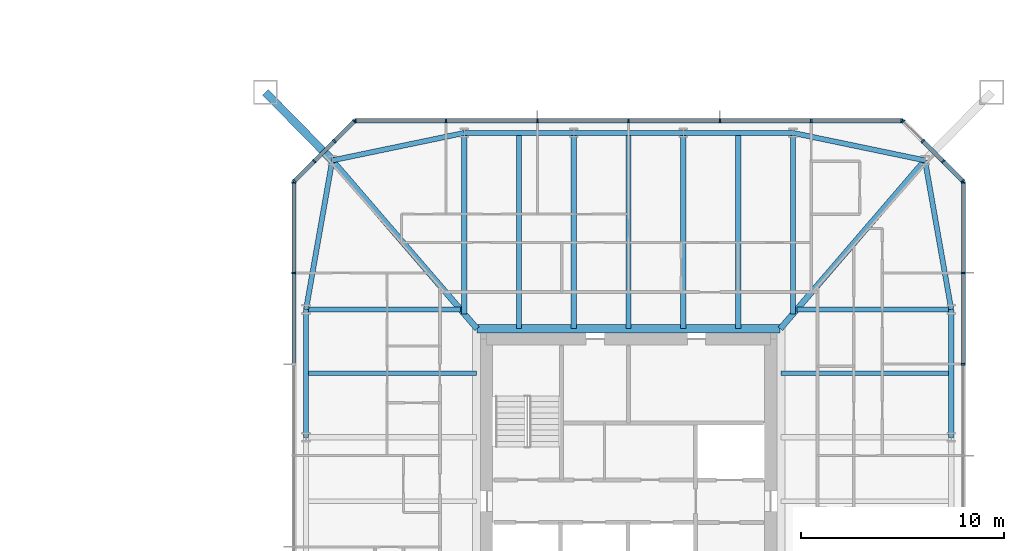
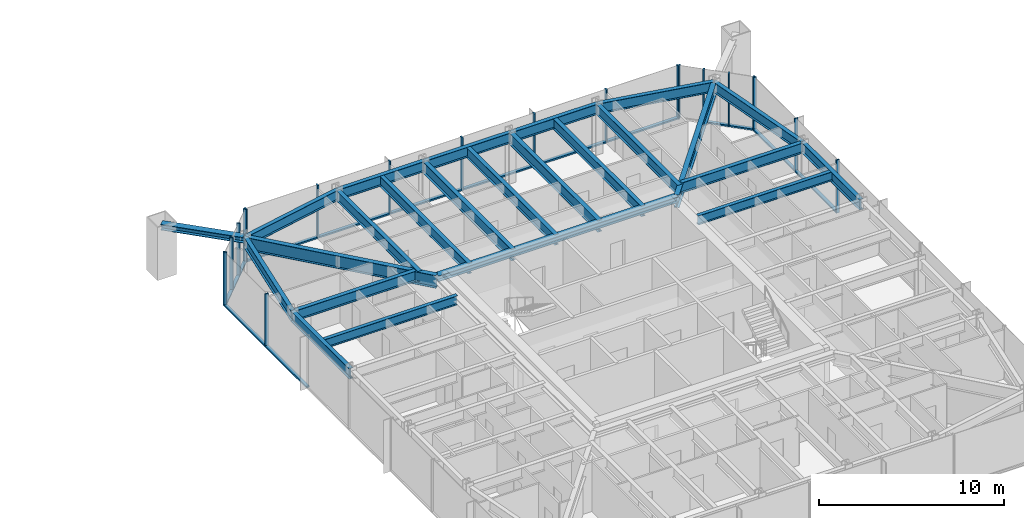
# One storey, part 10 of 26: 36 members, 23 beams, 5 elements without a shape of their own.
"""IFC4 building model written with IfcOpenShell, lengths in metres."""

from ifc_helpers import new_model, si_unit, direction, frame, origin, origin_2d, place, context, subcontext, project, spatial, rectangle, i_section, extrude, material, material_profile, profile_set, type_object, element, aggregate, save


model = new_model("IFC4")

# Units and contexts
model_context = context("Model", 3, precision=1e-05, world=origin(), true_north=direction((0.0, 1.0)))
body_context = subcontext(model_context, "Body", "Model", "MODEL_VIEW")
ifc_project = project(units=[si_unit("LENGTHUNIT", "METRE"), si_unit("AREAUNIT", "SQUARE_METRE"), si_unit("VOLUMEUNIT", "CUBIC_METRE"), si_unit("PLANEANGLEUNIT", "RADIAN"), si_unit("MASSUNIT", "GRAM", prefix="KILO")], contexts=[model_context])

# Site, building, storey
site_placement = place(None, origin())
site = spatial("IfcSite", under=ifc_project, at=site_placement, CompositionType="ELEMENT")
building_placement = place(site_placement, origin())
building = spatial("IfcBuilding", under=site, at=building_placement, Name="Iwan Alto Co-Living Towers", CompositionType="ELEMENT")
storey_placement = place(building_placement, frame((0.0, 0.0, 57.0)))
storey = spatial("IfcBuildingStorey", under=building, at=storey_placement, Name="L15", CompositionType="ELEMENT", Elevation=57.0)

# Curtain wall, members
ifc_material_1 = material(Name="Bronze aluminium unitised frame", Category="aluminium")
curtain_wall_type_1 = type_object("IfcCurtainWallType", Name="CURTAIN WALL CW-C", PredefinedType="NOTDEFINED", material=ifc_material_1)
curtain_wall_1_placement = place(storey_placement, origin())
curtain_wall_1 = element("IfcCurtainWall", 1, at=curtain_wall_1_placement, inside=storey, type_object=curtain_wall_type_1, Name="T2 curtain wall E L15", PredefinedType="NOTDEFINED")
ifc_material_2 = material(Name="Aluminium 6063-T6 bronze anodised", Category="aluminium")
ifc_material_profile_1 = material_profile(ifc_material_2, rectangle(XDim=0.199951171875, YDim=0.080078125, at=origin_2d()), Name="AL 80X200")
ifc_profile_set_1 = profile_set([ifc_material_profile_1], Name="Aluminium 6063-T6 bronze anodised")
member_type_1 = type_object("IfcMemberType", Name="CW-C MULLION 80X200", PredefinedType="MULLION", material=ifc_profile_set_1)
member_1_placement = place(storey_placement, frame((79.5, 6.75, 0.0), z_axis=(0.0, 0.0, 1.0), x_axis=(-1.0, 0.0, 0.0)))
member_1 = element("IfcMember", 2, at=member_1_placement, type_object=member_type_1, Name="CW-C mullion 6", PredefinedType="MULLION", context=body_context, shape_type="SweptSolid", body=[
    extrude(rectangle(XDim=0.199951171875, YDim=0.080078125, at=origin_2d()), origin(), (0.0, 0.0, 1.0), 3.5),
])
member_2_placement = place(storey_placement, frame((79.5, 11.25, 0.0), z_axis=(0.0, 0.0, 1.0), x_axis=(-1.0, 0.0, 0.0)))
member_2 = element("IfcMember", 3, at=member_2_placement, type_object=member_type_1, Name="CW-C mullion 7", PredefinedType="MULLION", context=body_context, shape_type="SweptSolid", body=[
    extrude(rectangle(XDim=0.199951171875, YDim=0.080078125, at=origin_2d()), origin(), (0.0, 0.0, 1.0), 3.5),
])
member_3_placement = place(storey_placement, frame((79.5, 15.7099609375, 0.0), z_axis=(0.0, 0.0, 1.0), x_axis=(-1.0, 0.0, 0.0)))
member_3 = element("IfcMember", 4, at=member_3_placement, type_object=member_type_1, Name="CW-C mullion 8", PredefinedType="MULLION", context=body_context, shape_type="SweptSolid", body=[
    extrude(rectangle(XDim=0.199951171875, YDim=0.080078125, at=origin_2d()), origin(), (0.0, 0.0, 1.0), 3.5),
])

curtain_wall_2_placement = place(storey_placement, origin())
curtain_wall_2 = element("IfcCurtainWall", 5, at=curtain_wall_2_placement, inside=storey, type_object=curtain_wall_type_1, Name="T2 curtain wall N L15", PredefinedType="NOTDEFINED")
member_4_placement = place(storey_placement, frame((76.4599609375, 18.75, 0.0), z_axis=(0.0, 0.0, 1.0), x_axis=(0.0, -1.0, 0.0)))
member_4 = element("IfcMember", 6, at=member_4_placement, type_object=member_type_1, Name="CW-C mullion 1", PredefinedType="MULLION", context=body_context, shape_type="SweptSolid", body=[
    extrude(rectangle(XDim=0.199951171875, YDim=0.080078125, at=origin_2d()), origin(), (0.0, 0.0, 1.0), 3.5),
])
member_5_placement = place(storey_placement, frame((72.0, 18.75, 0.0), z_axis=(0.0, 0.0, 1.0), x_axis=(0.0, -1.0, 0.0)))
member_5 = element("IfcMember", 7, at=member_5_placement, type_object=member_type_1, Name="CW-C mullion 2", PredefinedType="MULLION", context=body_context, shape_type="SweptSolid", body=[
    extrude(rectangle(XDim=0.199951171875, YDim=0.080078125, at=origin_2d()), origin(), (0.0, 0.0, 1.0), 3.5),
])
member_6_placement = place(storey_placement, frame((67.5, 18.75, 0.0), z_axis=(0.0, 0.0, 1.0), x_axis=(0.0, -1.0, 0.0)))
member_6 = element("IfcMember", 8, at=member_6_placement, type_object=member_type_1, Name="CW-C mullion 3", PredefinedType="MULLION", context=body_context, shape_type="SweptSolid", body=[
    extrude(rectangle(XDim=0.199951171875, YDim=0.080078125, at=origin_2d()), origin(), (0.0, 0.0, 1.0), 3.5),
])
member_7_placement = place(storey_placement, frame((63.0, 18.75, 0.0), z_axis=(0.0, 0.0, 1.0), x_axis=(0.0, -1.0, 0.0)))
member_7 = element("IfcMember", 9, at=member_7_placement, type_object=member_type_1, Name="CW-C mullion 4", PredefinedType="MULLION", context=body_context, shape_type="SweptSolid", body=[
    extrude(rectangle(XDim=0.199951171875, YDim=0.080078125, at=origin_2d()), origin(), (0.0, 0.0, 1.0), 3.5),
])
member_8_placement = place(storey_placement, frame((58.5, 18.75, 0.0), z_axis=(0.0, 0.0, 1.0), x_axis=(0.0, -1.0, 0.0)))
member_8 = element("IfcMember", 10, at=member_8_placement, type_object=member_type_1, Name="CW-C mullion 5", PredefinedType="MULLION", context=body_context, shape_type="SweptSolid", body=[
    extrude(rectangle(XDim=0.199951171875, YDim=0.080078125, at=origin_2d()), origin(), (0.0, 0.0, 1.0), 3.5),
])
member_9_placement = place(storey_placement, frame((54.0, 18.75, 0.0), z_axis=(0.0, 0.0, 1.0), x_axis=(0.0, -1.0, 0.0)))
member_9 = element("IfcMember", 11, at=member_9_placement, type_object=member_type_1, Name="CW-C mullion 6", PredefinedType="MULLION", context=body_context, shape_type="SweptSolid", body=[
    extrude(rectangle(XDim=0.199951171875, YDim=0.080078125, at=origin_2d()), origin(), (0.0, 0.0, 1.0), 3.5),
])
member_10_placement = place(storey_placement, frame((49.5400390625, 18.75, 0.0), z_axis=(0.0, 0.0, 1.0), x_axis=(0.0, -1.0, 0.0)))
member_10 = element("IfcMember", 12, at=member_10_placement, type_object=member_type_1, Name="CW-C mullion 7", PredefinedType="MULLION", context=body_context, shape_type="SweptSolid", body=[
    extrude(rectangle(XDim=0.199951171875, YDim=0.080078125, at=origin_2d()), origin(), (0.0, 0.0, 1.0), 3.5),
])

curtain_wall_3_placement = place(storey_placement, origin())
curtain_wall_3 = element("IfcCurtainWall", 13, at=curtain_wall_3_placement, inside=storey, type_object=curtain_wall_type_1, Name="T2 curtain wall W L15", PredefinedType="NOTDEFINED")
member_11_placement = place(storey_placement, frame((46.5, 15.7099609375, 0.0), z_axis=(0.0, 0.0, 1.0), x_axis=(1.0, 0.0, 0.0)))
member_11 = element("IfcMember", 14, at=member_11_placement, type_object=member_type_1, Name="CW-C mullion 1", PredefinedType="MULLION", context=body_context, shape_type="SweptSolid", body=[
    extrude(rectangle(XDim=0.199951171875, YDim=0.080078125, at=origin_2d()), origin(), (0.0, 0.0, 1.0), 3.5),
])
member_12_placement = place(storey_placement, frame((46.5, 11.25, 0.0), z_axis=(0.0, 0.0, 1.0), x_axis=(1.0, 0.0, 0.0)))
member_12 = element("IfcMember", 15, at=member_12_placement, type_object=member_type_1, Name="CW-C mullion 2", PredefinedType="MULLION", context=body_context, shape_type="SweptSolid", body=[
    extrude(rectangle(XDim=0.199951171875, YDim=0.080078125, at=origin_2d()), origin(), (0.0, 0.0, 1.0), 3.5),
])

# Member
ifc_material_3 = material(Name="Aluminium 6063-T6 bronze anodised", Category="aluminium")
ifc_material_profile_2 = material_profile(ifc_material_3, rectangle(XDim=0.199951171875, YDim=0.10009765625, at=origin_2d()), Name="AL 200X100")
ifc_profile_set_2 = profile_set([ifc_material_profile_2], Name="Aluminium 6063-T6 bronze anodised")
member_type_2 = type_object("IfcMemberType", Name="CW-C TRANSOM 200X100", PredefinedType="USERDEFINED", material=ifc_profile_set_2)
member_13_placement = place(storey_placement, frame((79.5, 6.7900390625, 0.050048828125), z_axis=(0.0, 1.0, 0.0), x_axis=(-1.0, 0.0, 0.0)))
member_13 = element("IfcMember", 16, at=member_13_placement, type_object=member_type_2, Name="CW-C transom 6.1", ObjectType="TRANSOM", PredefinedType="USERDEFINED", context=body_context, shape_type="SweptSolid", body=[
    extrude(rectangle(XDim=0.199951171875, YDim=0.10009765625, at=origin_2d()), origin(), (0.0, 0.0, 1.0), 4.419921875),
])

member_14_placement = place(storey_placement, frame((79.5, 11.2900390625, 0.050048828125), z_axis=(0.0, 1.0, 0.0), x_axis=(-1.0, 0.0, 0.0)))
member_14 = element("IfcMember", 17, at=member_14_placement, type_object=member_type_2, Name="CW-C transom 7.1", ObjectType="TRANSOM", PredefinedType="USERDEFINED", context=body_context, shape_type="SweptSolid", body=[
    extrude(rectangle(XDim=0.199951171875, YDim=0.10009765625, at=origin_2d()), origin(), (0.0, 0.0, 1.0), 4.3798828125),
])

aggregate(curtain_wall_1, [member_1, member_2, member_3, member_13, member_14])

member_15_placement = place(storey_placement, frame((76.419921875, 18.75, 0.050048828125), z_axis=(-1.0, 0.0, 0.0), x_axis=(0.0, -1.0, 0.0)))
member_15 = element("IfcMember", 18, at=member_15_placement, type_object=member_type_2, Name="CW-C transom 1.1", ObjectType="TRANSOM", PredefinedType="USERDEFINED", context=body_context, shape_type="SweptSolid", body=[
    extrude(rectangle(XDim=0.199951171875, YDim=0.10009765625, at=origin_2d()), origin(), (0.0, 0.0, 1.0), 4.3798828125),
])

member_16_placement = place(storey_placement, frame((71.9599609375, 18.75, 0.050048828125), z_axis=(-1.0, 0.0, 0.0), x_axis=(0.0, -1.0, 0.0)))
member_16 = element("IfcMember", 19, at=member_16_placement, type_object=member_type_2, Name="CW-C transom 2.1", ObjectType="TRANSOM", PredefinedType="USERDEFINED", context=body_context, shape_type="SweptSolid", body=[
    extrude(rectangle(XDim=0.199951171875, YDim=0.10009765625, at=origin_2d()), origin(), (0.0, 0.0, 1.0), 4.419921875),
])

member_17_placement = place(storey_placement, frame((67.4599609375, 18.75, 0.050048828125), z_axis=(-1.0, 0.0, 0.0), x_axis=(0.0, -1.0, 0.0)))
member_17 = element("IfcMember", 20, at=member_17_placement, type_object=member_type_2, Name="CW-C transom 3.1", ObjectType="TRANSOM", PredefinedType="USERDEFINED", context=body_context, shape_type="SweptSolid", body=[
    extrude(rectangle(XDim=0.199951171875, YDim=0.10009765625, at=origin_2d()), origin(), (0.0, 0.0, 1.0), 4.419921875),
])

member_18_placement = place(storey_placement, frame((62.9599609375, 18.75, 0.050048828125), z_axis=(-1.0, 0.0, 0.0), x_axis=(0.0, -1.0, 0.0)))
member_18 = element("IfcMember", 21, at=member_18_placement, type_object=member_type_2, Name="CW-C transom 4.1", ObjectType="TRANSOM", PredefinedType="USERDEFINED", context=body_context, shape_type="SweptSolid", body=[
    extrude(rectangle(XDim=0.199951171875, YDim=0.10009765625, at=origin_2d()), origin(), (0.0, 0.0, 1.0), 4.419921875),
])

member_19_placement = place(storey_placement, frame((58.4599609375, 18.75, 0.050048828125), z_axis=(-1.0, 0.0, 0.0), x_axis=(0.0, -1.0, 0.0)))
member_19 = element("IfcMember", 22, at=member_19_placement, type_object=member_type_2, Name="CW-C transom 5.1", ObjectType="TRANSOM", PredefinedType="USERDEFINED", context=body_context, shape_type="SweptSolid", body=[
    extrude(rectangle(XDim=0.199951171875, YDim=0.10009765625, at=origin_2d()), origin(), (0.0, 0.0, 1.0), 4.419921875),
])

member_20_placement = place(storey_placement, frame((53.9599609375, 18.75, 0.050048828125), z_axis=(-1.0, 0.0, 0.0), x_axis=(0.0, -1.0, 0.0)))
member_20 = element("IfcMember", 23, at=member_20_placement, type_object=member_type_2, Name="CW-C transom 6.1", ObjectType="TRANSOM", PredefinedType="USERDEFINED", context=body_context, shape_type="SweptSolid", body=[
    extrude(rectangle(XDim=0.199951171875, YDim=0.10009765625, at=origin_2d()), origin(), (0.0, 0.0, 1.0), 4.3798828125),
])

aggregate(curtain_wall_2, [member_4, member_5, member_6, member_7, member_8, member_9, member_10, member_15, member_16, member_17, member_18, member_19, member_20])

member_21_placement = place(storey_placement, frame((46.5, 15.669921875, 0.050048828125), z_axis=(0.0, -1.0, 0.0), x_axis=(1.0, 0.0, 0.0)))
member_21 = element("IfcMember", 24, at=member_21_placement, type_object=member_type_2, Name="CW-C transom 1.1", ObjectType="TRANSOM", PredefinedType="USERDEFINED", context=body_context, shape_type="SweptSolid", body=[
    extrude(rectangle(XDim=0.199951171875, YDim=0.10009765625, at=origin_2d()), origin(), (0.0, 0.0, 1.0), 4.3798828125),
])

member_22_placement = place(storey_placement, frame((46.5, 11.2099609375, 0.050048828125), z_axis=(0.0, -1.0, 0.0), x_axis=(1.0, 0.0, 0.0)))
member_22 = element("IfcMember", 25, at=member_22_placement, type_object=member_type_2, Name="CW-C transom 2.1", ObjectType="TRANSOM", PredefinedType="USERDEFINED", context=body_context, shape_type="SweptSolid", body=[
    extrude(rectangle(XDim=0.199951171875, YDim=0.10009765625, at=origin_2d()), origin(), (0.0, 0.0, 1.0), 4.419921875),
])

aggregate(curtain_wall_3, [member_11, member_12, member_21, member_22])

# Curtain wall, members
ifc_material_4 = material(Name="Bronze aluminium unitised frame", Category="aluminium")
curtain_wall_type_2 = type_object("IfcCurtainWallType", Name="CURTAIN WALL CW-D", PredefinedType="NOTDEFINED", material=ifc_material_4)
curtain_wall_4_placement = place(storey_placement, origin())
curtain_wall_4 = element("IfcCurtainWall", 26, at=curtain_wall_4_placement, inside=storey, type_object=curtain_wall_type_2, Name="T2 chamfer curtain wall NE L15", PredefinedType="NOTDEFINED")
ifc_material_5 = material(Name="Aluminium 6063-T6 bronze anodised", Category="aluminium")
ifc_material_profile_3 = material_profile(ifc_material_5, rectangle(XDim=0.199951171875, YDim=0.080078125, at=origin_2d()), Name="AL 80X200")
ifc_profile_set_3 = profile_set([ifc_material_profile_3], Name="Aluminium 6063-T6 bronze anodised")
member_type_3 = type_object("IfcMemberType", Name="CW-D MULLION 80X200", PredefinedType="MULLION", material=ifc_profile_set_3)
member_23_placement = place(storey_placement, frame((79.4716796875, 15.7783203125, 0.0), z_axis=(0.0, 0.0, 1.0), x_axis=(-0.707106781187, -0.707106781187, 0.0)))
member_23 = element("IfcMember", 27, at=member_23_placement, type_object=member_type_3, Name="CW-D mullion 1", PredefinedType="MULLION", context=body_context, shape_type="SweptSolid", body=[
    extrude(rectangle(XDim=0.199951171875, YDim=0.080078125, at=origin_2d()), origin(), (0.0, 0.0, 1.0), 3.5),
])
member_24_placement = place(storey_placement, frame((78.5, 16.75, 0.0), z_axis=(0.0, 0.0, 1.0), x_axis=(-0.707106781187, -0.707106781187, 0.0)))
member_24 = element("IfcMember", 28, at=member_24_placement, type_object=member_type_3, Name="CW-D mullion 2", PredefinedType="MULLION", context=body_context, shape_type="SweptSolid", body=[
    extrude(rectangle(XDim=0.199951171875, YDim=0.080078125, at=origin_2d()), origin(), (0.0, 0.0, 1.0), 3.5),
])
member_25_placement = place(storey_placement, frame((77.5, 17.75, 0.0), z_axis=(0.0, 0.0, 1.0), x_axis=(-0.707106781187, -0.707106781187, 0.0)))
member_25 = element("IfcMember", 29, at=member_25_placement, type_object=member_type_3, Name="CW-D mullion 3", PredefinedType="MULLION", context=body_context, shape_type="SweptSolid", body=[
    extrude(rectangle(XDim=0.199951171875, YDim=0.080078125, at=origin_2d()), origin(), (0.0, 0.0, 1.0), 3.5),
])
member_26_placement = place(storey_placement, frame((76.5283203125, 18.7216796875, 0.0), z_axis=(0.0, 0.0, 1.0), x_axis=(-0.707106781187, -0.707106781187, 0.0)))
member_26 = element("IfcMember", 30, at=member_26_placement, type_object=member_type_3, Name="CW-D mullion 4", PredefinedType="MULLION", context=body_context, shape_type="SweptSolid", body=[
    extrude(rectangle(XDim=0.199951171875, YDim=0.080078125, at=origin_2d()), origin(), (0.0, 0.0, 1.0), 3.5),
])

curtain_wall_5_placement = place(storey_placement, origin())
curtain_wall_5 = element("IfcCurtainWall", 31, at=curtain_wall_5_placement, inside=storey, type_object=curtain_wall_type_2, Name="T2 chamfer curtain wall NW L15", PredefinedType="NOTDEFINED")
member_27_placement = place(storey_placement, frame((49.4716796875, 18.7216796875, 0.0), z_axis=(0.0, 0.0, 1.0), x_axis=(0.707106781187, -0.707106781187, 0.0)))
member_27 = element("IfcMember", 32, at=member_27_placement, type_object=member_type_3, Name="CW-D mullion 1", PredefinedType="MULLION", context=body_context, shape_type="SweptSolid", body=[
    extrude(rectangle(XDim=0.199951171875, YDim=0.080078125, at=origin_2d()), origin(), (0.0, 0.0, 1.0), 3.5),
])
member_28_placement = place(storey_placement, frame((48.5, 17.75, 0.0), z_axis=(0.0, 0.0, 1.0), x_axis=(0.707106781187, -0.707106781187, 0.0)))
member_28 = element("IfcMember", 33, at=member_28_placement, type_object=member_type_3, Name="CW-D mullion 2", PredefinedType="MULLION", context=body_context, shape_type="SweptSolid", body=[
    extrude(rectangle(XDim=0.199951171875, YDim=0.080078125, at=origin_2d()), origin(), (0.0, 0.0, 1.0), 3.5),
])
member_29_placement = place(storey_placement, frame((47.5, 16.75, 0.0), z_axis=(0.0, 0.0, 1.0), x_axis=(0.707106781187, -0.707106781187, 0.0)))
member_29 = element("IfcMember", 34, at=member_29_placement, type_object=member_type_3, Name="CW-D mullion 3", PredefinedType="MULLION", context=body_context, shape_type="SweptSolid", body=[
    extrude(rectangle(XDim=0.199951171875, YDim=0.080078125, at=origin_2d()), origin(), (0.0, 0.0, 1.0), 3.5),
])
member_30_placement = place(storey_placement, frame((46.5283203125, 15.7783203125, 0.0), z_axis=(0.0, 0.0, 1.0), x_axis=(0.707106781187, -0.707106781187, 0.0)))
member_30 = element("IfcMember", 35, at=member_30_placement, type_object=member_type_3, Name="CW-D mullion 4", PredefinedType="MULLION", context=body_context, shape_type="SweptSolid", body=[
    extrude(rectangle(XDim=0.199951171875, YDim=0.080078125, at=origin_2d()), origin(), (0.0, 0.0, 1.0), 3.5),
])

# Member
ifc_material_6 = material(Name="Aluminium 6063-T6 bronze anodised", Category="aluminium")
ifc_material_profile_4 = material_profile(ifc_material_6, rectangle(XDim=0.199951171875, YDim=0.10009765625, at=origin_2d()), Name="AL 200X100")
ifc_profile_set_4 = profile_set([ifc_material_profile_4], Name="Aluminium 6063-T6 bronze anodised")
member_type_4 = type_object("IfcMemberType", Name="CW-D TRANSOM 200X100", PredefinedType="USERDEFINED", material=ifc_profile_set_4)
member_31_placement = place(storey_placement, frame((79.443359375, 15.806640625, 0.050048828125), z_axis=(-0.707106781187, 0.707106781187, 0.0), x_axis=(-0.707106781187, -0.707106781187, 0.0)))
member_31 = element("IfcMember", 36, at=member_31_placement, type_object=member_type_4, Name="CW-D transom 1.1", ObjectType="TRANSOM", PredefinedType="USERDEFINED", context=body_context, shape_type="SweptSolid", body=[
    extrude(rectangle(XDim=0.199951171875, YDim=0.10009765625, at=origin_2d()), origin(), (0.0, 0.0, 1.0), 1.2939453125),
])

member_32_placement = place(storey_placement, frame((78.4716796875, 16.7783203125, 0.050048828125), z_axis=(-0.707106781187, 0.707106781187, 0.0), x_axis=(-0.707106781187, -0.707106781187, 0.0)))
member_32 = element("IfcMember", 37, at=member_32_placement, type_object=member_type_4, Name="CW-D transom 2.1", ObjectType="TRANSOM", PredefinedType="USERDEFINED", context=body_context, shape_type="SweptSolid", body=[
    extrude(rectangle(XDim=0.199951171875, YDim=0.10009765625, at=origin_2d()), origin(), (0.0, 0.0, 1.0), 1.334228515625),
])

aggregate(curtain_wall_4, [member_23, member_24, member_25, member_26, member_31, member_32])

member_33_placement = place(storey_placement, frame((49.443359375, 18.693359375, 0.050048828125), z_axis=(-0.707106781187, -0.707106781187, 0.0), x_axis=(0.707106781187, -0.707106781187, 0.0)))
member_33 = element("IfcMember", 38, at=member_33_placement, type_object=member_type_4, Name="CW-D transom 1.1", ObjectType="TRANSOM", PredefinedType="USERDEFINED", context=body_context, shape_type="SweptSolid", body=[
    extrude(rectangle(XDim=0.199951171875, YDim=0.10009765625, at=origin_2d()), origin(), (0.0, 0.0, 1.0), 1.2939453125),
])

member_34_placement = place(storey_placement, frame((48.4716796875, 17.7216796875, 0.050048828125), z_axis=(-0.707106781187, -0.707106781187, 0.0), x_axis=(0.707106781187, -0.707106781187, 0.0)))
member_34 = element("IfcMember", 39, at=member_34_placement, type_object=member_type_4, Name="CW-D transom 2.1", ObjectType="TRANSOM", PredefinedType="USERDEFINED", context=body_context, shape_type="SweptSolid", body=[
    extrude(rectangle(XDim=0.199951171875, YDim=0.10009765625, at=origin_2d()), origin(), (0.0, 0.0, 1.0), 1.334228515625),
])

member_35_placement = place(storey_placement, frame((47.4716796875, 16.7216796875, 0.050048828125), z_axis=(-0.707106781187, -0.707106781187, 0.0), x_axis=(0.707106781187, -0.707106781187, 0.0)))
member_35 = element("IfcMember", 40, at=member_35_placement, type_object=member_type_4, Name="CW-D transom 3.1", ObjectType="TRANSOM", PredefinedType="USERDEFINED", context=body_context, shape_type="SweptSolid", body=[
    extrude(rectangle(XDim=0.199951171875, YDim=0.10009765625, at=origin_2d()), origin(), (0.0, 0.0, 1.0), 1.2939453125),
])

aggregate(curtain_wall_5, [member_27, member_28, member_29, member_30, member_33, member_34, member_35])

# Beams
ifc_material_7 = material(Name="Steel ASTM A992 Gr 50", Category="steel")
ifc_material_profile_5 = material_profile(ifc_material_7, i_section(OverallWidth=0.398681640625, OverallDepth=0.385986328125, WebThickness=0.02099609375, FlangeThickness=0.033203125, at=origin_2d()), Name="W14X176")
ifc_profile_set_5 = profile_set([ifc_material_profile_5], Name="Steel ASTM A992 Gr 50")
beam_type_1 = type_object("IfcBeamType", Name="T2 CORE LEDGER BEAM W14X176", PredefinedType="BEAM", material=ifc_profile_set_5)
beam_1_placement = place(storey_placement, frame((70.471435546875, 8.49951171875, 3.076904296875), z_axis=(-1.0, 0.0, 0.0), x_axis=(0.0, -1.0, 0.0)))
element("IfcBeam", 41, at=beam_1_placement, inside=storey, type_object=beam_type_1, Name="T2 core ledger beam N L16", PredefinedType="BEAM", context=body_context, shape_type="SweptSolid", body=[
    extrude(i_section(OverallWidth=0.398681640625, OverallDepth=0.385986328125, WebThickness=0.02099609375, FlangeThickness=0.033203125, at=origin_2d()), origin(), (0.0, 0.0, 1.0), 14.94287109375),
])
ifc_material_8 = material(Name="Steel ASTM A992 Gr 50", Category="steel")
ifc_material_profile_6 = material_profile(ifc_material_8, i_section(OverallWidth=0.2919921875, OverallDepth=0.8408203125, WebThickness=0.0146484375, FlangeThickness=0.021728515625, at=origin_2d()), Name="W33X130")
ifc_profile_set_6 = profile_set([ifc_material_profile_6], Name="Steel ASTM A992 Gr 50")
beam_type_2 = type_object("IfcBeamType", Name="T2 CORNER GIRDER W33X130", PredefinedType="BEAM", material=ifc_profile_set_6)
for number, where, z_axis, x_axis, name in (
    (42, (77.606201171875, 16.797119140625, 2.849609375), (-0.651977452133, -0.758238354286, 0.0), (0.758238354286, -0.651977452133, 0.0), "T2 corner girder CNE L16"),
    (43, (48.393798828125, 16.797119140625, 2.849609375), (0.651977452133, -0.758238354286, 0.0), (0.758238354286, 0.651977452133, 0.0), "T2 corner girder CNW L16"),
):
    element("IfcBeam", number, at=place(storey_placement, frame(where, z_axis=z_axis, x_axis=x_axis)), inside=storey, type_object=beam_type_2, Name=name, PredefinedType="BEAM", context=body_context, shape_type="SweptSolid", body=[
        extrude(i_section(OverallWidth=0.2919921875, OverallDepth=0.8408203125, WebThickness=0.0146484375, FlangeThickness=0.021728515625, at=origin_2d()), origin(), (0.0, 0.0, 1.0), 10.943359375),
    ])
ifc_material_9 = material(Name="Steel ASTM A992 Gr 50", Category="steel")
ifc_material_profile_7 = material_profile(ifc_material_9, i_section(OverallWidth=0.25390625, OverallDepth=0.683349609375, WebThickness=0.012451171875, FlangeThickness=0.018798828125, at=origin_2d()), Name="W27X94")
ifc_profile_set_7 = profile_set([ifc_material_profile_7], Name="Steel ASTM A992 Gr 50")
beam_type_3 = type_object("IfcBeamType", Name="T2 EDGE BEAM W27X94", PredefinedType="BEAM", material=ifc_profile_set_7)
beam_2_placement = place(storey_placement, frame((78.89990234375, 3.14990234375, 2.928466796875), z_axis=(0.0, 1.0, 0.0), x_axis=(-1.0, 0.0, 0.0)))
element("IfcBeam", 44, at=beam_2_placement, inside=storey, type_object=beam_type_3, Name="T2 edge beam E3 L16", PredefinedType="BEAM", context=body_context, shape_type="SweptSolid", body=[
    extrude(i_section(OverallWidth=0.25390625, OverallDepth=0.683349609375, WebThickness=0.012451171875, FlangeThickness=0.018798828125, at=origin_2d()), origin(), (0.0, 0.0, 1.0), 6.300048828125),
])
beam_3_placement = place(storey_placement, frame((78.89990234375, 9.449951171875, 2.928466796875), z_axis=(-0.173413807283, 0.98484905008, 0.0), x_axis=(-0.98484905008, -0.173413807283, 0.0)))
element("IfcBeam", 45, at=beam_3_placement, inside=storey, type_object=beam_type_3, Name="T2 edge beam E4 L16", PredefinedType="BEAM", context=body_context, shape_type="SweptSolid", body=[
    extrude(i_section(OverallWidth=0.25390625, OverallDepth=0.683349609375, WebThickness=0.012451171875, FlangeThickness=0.018798828125, at=origin_2d()), origin(), (0.0, 0.0, 1.0), 7.460205078125),
])
beam_4_placement = place(storey_placement, frame((77.606201171875, 16.797119140625, 2.928466796875), z_axis=(-0.979060119423, 0.203571320564, 0.0), x_axis=(-0.203571320564, -0.979060119423, 0.0)))
element("IfcBeam", 46, at=beam_4_placement, inside=storey, type_object=beam_type_3, Name="T2 edge beam CNE L16", PredefinedType="BEAM", context=body_context, shape_type="SweptSolid", body=[
    extrude(i_section(OverallWidth=0.25390625, OverallDepth=0.683349609375, WebThickness=0.012451171875, FlangeThickness=0.018798828125, at=origin_2d()), origin(), (0.0, 0.0, 1.0), 6.645263671875),
])
beam_5_placement = place(storey_placement, frame((71.10009765625, 18.14990234375, 2.928466796875), z_axis=(-1.0, 0.0, 0.0), x_axis=(0.0, -1.0, 0.0)))
element("IfcBeam", 47, at=beam_5_placement, inside=storey, type_object=beam_type_3, Name="T2 edge beam N1 L16", PredefinedType="BEAM", context=body_context, shape_type="SweptSolid", body=[
    extrude(i_section(OverallWidth=0.25390625, OverallDepth=0.683349609375, WebThickness=0.012451171875, FlangeThickness=0.018798828125, at=origin_2d()), origin(), (0.0, 0.0, 1.0), 5.400146484375),
])
beam_6_placement = place(storey_placement, frame((65.699951171875, 18.14990234375, 2.928466796875), z_axis=(-1.0, 0.0, 0.0), x_axis=(0.0, -1.0, 0.0)))
element("IfcBeam", 48, at=beam_6_placement, inside=storey, type_object=beam_type_3, Name="T2 edge beam N2 L16", PredefinedType="BEAM", context=body_context, shape_type="SweptSolid", body=[
    extrude(i_section(OverallWidth=0.25390625, OverallDepth=0.683349609375, WebThickness=0.012451171875, FlangeThickness=0.018798828125, at=origin_2d()), origin(), (0.0, 0.0, 1.0), 5.39990234375),
])
beam_7_placement = place(storey_placement, frame((60.300048828125, 18.14990234375, 2.928466796875), z_axis=(-1.0, 0.0, 0.0), x_axis=(0.0, -1.0, 0.0)))
element("IfcBeam", 49, at=beam_7_placement, inside=storey, type_object=beam_type_3, Name="T2 edge beam N3 L16", PredefinedType="BEAM", context=body_context, shape_type="SweptSolid", body=[
    extrude(i_section(OverallWidth=0.25390625, OverallDepth=0.683349609375, WebThickness=0.012451171875, FlangeThickness=0.018798828125, at=origin_2d()), origin(), (0.0, 0.0, 1.0), 5.400146484375),
])
beam_8_placement = place(storey_placement, frame((54.89990234375, 18.14990234375, 2.928466796875), z_axis=(-0.979060119423, -0.203571320564, 0.0), x_axis=(0.203571320564, -0.979060119423, 0.0)))
element("IfcBeam", 50, at=beam_8_placement, inside=storey, type_object=beam_type_3, Name="T2 edge beam N4 L16", PredefinedType="BEAM", context=body_context, shape_type="SweptSolid", body=[
    extrude(i_section(OverallWidth=0.25390625, OverallDepth=0.683349609375, WebThickness=0.012451171875, FlangeThickness=0.018798828125, at=origin_2d()), origin(), (0.0, 0.0, 1.0), 6.645263671875),
])
beam_9_placement = place(storey_placement, frame((48.393798828125, 16.797119140625, 2.928466796875), z_axis=(-0.173413807283, -0.98484905008, 0.0), x_axis=(0.98484905008, -0.173413807283, 0.0)))
element("IfcBeam", 51, at=beam_9_placement, inside=storey, type_object=beam_type_3, Name="T2 edge beam CNW L16", PredefinedType="BEAM", context=body_context, shape_type="SweptSolid", body=[
    extrude(i_section(OverallWidth=0.25390625, OverallDepth=0.683349609375, WebThickness=0.012451171875, FlangeThickness=0.018798828125, at=origin_2d()), origin(), (0.0, 0.0, 1.0), 7.460205078125),
])
beam_10_placement = place(storey_placement, frame((47.10009765625, 9.449951171875, 2.928466796875), z_axis=(0.0, -1.0, 0.0), x_axis=(1.0, 0.0, 0.0)))
element("IfcBeam", 52, at=beam_10_placement, inside=storey, type_object=beam_type_3, Name="T2 edge beam W1 L16", PredefinedType="BEAM", context=body_context, shape_type="SweptSolid", body=[
    extrude(i_section(OverallWidth=0.25390625, OverallDepth=0.683349609375, WebThickness=0.012451171875, FlangeThickness=0.018798828125, at=origin_2d()), origin(), (0.0, 0.0, 1.0), 6.300048828125),
])

# Member
ifc_material_10 = material(Name="Steel ASTM A992 Gr 50", Category="steel")
ifc_material_profile_8 = material_profile(ifc_material_10, i_section(OverallWidth=0.393798828125, OverallDepth=0.3759765625, WebThickness=0.017333984375, FlangeThickness=0.027587890625, at=origin_2d()), Name="W14X145")
ifc_profile_set_8 = profile_set([ifc_material_profile_8], Name="Steel ASTM A992 Gr 50")
member_type_5 = type_object("IfcMemberType", Name="T2 MEGA COLUMN FLOOR TIE W14X145", PredefinedType="STRUT", material=ifc_profile_set_8)
member_36_placement = place(storey_placement, frame((45.10009765625, 20.14990234375, 3.08203125), z_axis=(0.700793469544, -0.71336422187, 0.0), x_axis=(0.71336422187, 0.700793469544, 0.0)))
element("IfcMember", 53, at=member_36_placement, inside=storey, type_object=member_type_5, Name="T2 mega column floor tie NW L16", PredefinedType="STRUT", context=body_context, shape_type="SweptSolid", body=[
    extrude(i_section(OverallWidth=0.393798828125, OverallDepth=0.3759765625, WebThickness=0.017333984375, FlangeThickness=0.027587890625, at=origin_2d()), origin(), (0.0, 0.0, 1.0), 4.699951171875),
])

# Beams
ifc_material_11 = material(Name="Steel ASTM A992 Gr 50", Category="steel")
ifc_material_profile_9 = material_profile(ifc_material_11, i_section(OverallWidth=0.25390625, OverallDepth=0.683349609375, WebThickness=0.012451171875, FlangeThickness=0.018798828125, at=origin_2d()), Name="W27X94")
ifc_profile_set_9 = profile_set([ifc_material_profile_9], Name="Steel ASTM A992 Gr 50")
beam_type_4 = type_object("IfcBeamType", Name="T2 RADIAL BEAM W27X94", PredefinedType="BEAM", material=ifc_profile_set_9)
beam_11_placement = place(storey_placement, frame((78.89990234375, 9.449951171875, 2.928466796875), z_axis=(-1.0, 0.0, 0.0), x_axis=(0.0, -1.0, 0.0)))
element("IfcBeam", 54, at=beam_11_placement, inside=storey, type_object=beam_type_4, Name="T2 radial beam E4 L16", PredefinedType="BEAM", context=body_context, shape_type="SweptSolid", body=[
    extrude(i_section(OverallWidth=0.25390625, OverallDepth=0.683349609375, WebThickness=0.012451171875, FlangeThickness=0.018798828125, at=origin_2d()), origin(), (0.0, 0.0, 1.0), 7.611083984375),
])
for number, where, z_axis, x_axis, name in (
    (55, (71.10009765625, 18.14990234375, 2.928466796875), (0.0, -1.0, 0.0), (1.0, 0.0, 0.0), "T2 radial beam N1 L16"),
    (56, (54.89990234375, 18.14990234375, 2.928466796875), (0.0, -1.0, 0.0), (1.0, 0.0, 0.0), "T2 radial beam N4 L16"),
):
    element("IfcBeam", number, at=place(storey_placement, frame(where, z_axis=z_axis, x_axis=x_axis)), inside=storey, type_object=beam_type_4, Name=name, PredefinedType="BEAM", context=body_context, shape_type="SweptSolid", body=[
        extrude(i_section(OverallWidth=0.25390625, OverallDepth=0.683349609375, WebThickness=0.012451171875, FlangeThickness=0.018798828125, at=origin_2d()), origin(), (0.0, 0.0, 1.0), 8.91943359375),
    ])
beam_12_placement = place(storey_placement, frame((47.10009765625, 9.449951171875, 2.928466796875), z_axis=(1.0, 0.0, 0.0), x_axis=(0.0, 1.0, 0.0)))
element("IfcBeam", 57, at=beam_12_placement, inside=storey, type_object=beam_type_4, Name="T2 radial beam W1 L16", PredefinedType="BEAM", context=body_context, shape_type="SweptSolid", body=[
    extrude(i_section(OverallWidth=0.25390625, OverallDepth=0.683349609375, WebThickness=0.012451171875, FlangeThickness=0.018798828125, at=origin_2d()), origin(), (0.0, 0.0, 1.0), 7.611083984375),
])
ifc_material_12 = material(Name="Steel ASTM A992 Gr 50", Category="steel")
ifc_material_profile_10 = material_profile(ifc_material_12, i_section(OverallWidth=0.2666015625, OverallDepth=0.761962890625, WebThickness=0.014404296875, FlangeThickness=0.021484375, at=origin_2d()), Name="W30X116")
ifc_profile_set_10 = profile_set([ifc_material_profile_10], Name="Steel ASTM A992 Gr 50")
beam_type_5 = type_object("IfcBeamType", Name="T2 RADIAL BEAM W30X116", PredefinedType="BEAM", material=ifc_profile_set_10)
for number, where, z_axis, x_axis, name in (
    (58, (65.699951171875, 18.14990234375, 2.888916015625), (0.0, -1.0, 0.0), (1.0, 0.0, 0.0), "T2 radial beam N2 L16"),
    (59, (60.300048828125, 18.14990234375, 2.888916015625), (0.0, -1.0, 0.0), (1.0, 0.0, 0.0), "T2 radial beam N3 L16"),
):
    element("IfcBeam", number, at=place(storey_placement, frame(where, z_axis=z_axis, x_axis=x_axis)), inside=storey, type_object=beam_type_5, Name=name, PredefinedType="BEAM", context=body_context, shape_type="SweptSolid", body=[
        extrude(i_section(OverallWidth=0.2666015625, OverallDepth=0.761962890625, WebThickness=0.014404296875, FlangeThickness=0.021484375, at=origin_2d()), origin(), (0.0, 0.0, 1.0), 9.650390625),
    ])
ifc_material_13 = material(Name="Steel ASTM A992 Gr 50", Category="steel")
ifc_material_profile_11 = material_profile(ifc_material_13, i_section(OverallWidth=0.228271484375, OverallDepth=0.607177734375, WebThickness=0.01123046875, FlangeThickness=0.017333984375, at=origin_2d()), Name="W24X76")
ifc_profile_set_11 = profile_set([ifc_material_profile_11], Name="Steel ASTM A992 Gr 50")
beam_type_6 = type_object("IfcBeamType", Name="T2 SECONDARY BEAM W24X76", PredefinedType="JOIST", material=ifc_profile_set_11)
for number, where, z_axis, x_axis, name in (
    (60, (78.89990234375, 6.300048828125, 2.966552734375), (-1.0, 0.0, 0.0), (0.0, -1.0, 0.0), "T2 secondary beam E3 L16"),
    (61, (47.10009765625, 6.300048828125, 2.966552734375), (1.0, 0.0, 0.0), (0.0, 1.0, 0.0), "T2 secondary beam W1 L16"),
):
    element("IfcBeam", number, at=place(storey_placement, frame(where, z_axis=z_axis, x_axis=x_axis)), inside=storey, type_object=beam_type_6, Name=name, PredefinedType="JOIST", context=body_context, shape_type="SweptSolid", body=[
        extrude(i_section(OverallWidth=0.228271484375, OverallDepth=0.607177734375, WebThickness=0.01123046875, FlangeThickness=0.017333984375, at=origin_2d()), origin(), (0.0, 0.0, 1.0), 8.400390625),
    ])
ifc_material_14 = material(Name="Steel ASTM A992 Gr 50", Category="steel")
ifc_material_profile_12 = material_profile(ifc_material_14, i_section(OverallWidth=0.25390625, OverallDepth=0.683349609375, WebThickness=0.012451171875, FlangeThickness=0.018798828125, at=origin_2d()), Name="W27X94")
ifc_profile_set_12 = profile_set([ifc_material_profile_12], Name="Steel ASTM A992 Gr 50")
beam_type_7 = type_object("IfcBeamType", Name="T2 SECONDARY BEAM W27X94", PredefinedType="JOIST", material=ifc_profile_set_12)
for number, where, z_axis, x_axis, name in (
    (62, (68.39990234375, 18.14990234375, 2.928466796875), (0.0, -1.0, 0.0), (1.0, 0.0, 0.0), "T2 secondary beam N1 L16"),
    (63, (63.0, 18.14990234375, 2.928466796875), (0.0, -1.0, 0.0), (1.0, 0.0, 0.0), "T2 secondary beam N2 L16"),
    (64, (57.60009765625, 18.14990234375, 2.928466796875), (0.0, -1.0, 0.0), (1.0, 0.0, 0.0), "T2 secondary beam N3 L16"),
):
    element("IfcBeam", number, at=place(storey_placement, frame(where, z_axis=z_axis, x_axis=x_axis)), inside=storey, type_object=beam_type_7, Name=name, PredefinedType="JOIST", context=body_context, shape_type="SweptSolid", body=[
        extrude(i_section(OverallWidth=0.25390625, OverallDepth=0.683349609375, WebThickness=0.012451171875, FlangeThickness=0.018798828125, at=origin_2d()), origin(), (0.0, 0.0, 1.0), 9.650390625),
    ])

save(model, "model.ifc")
